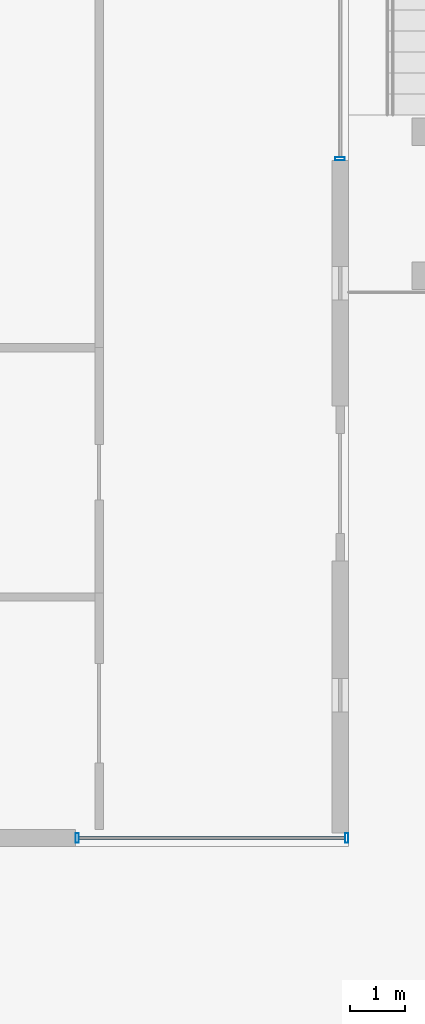
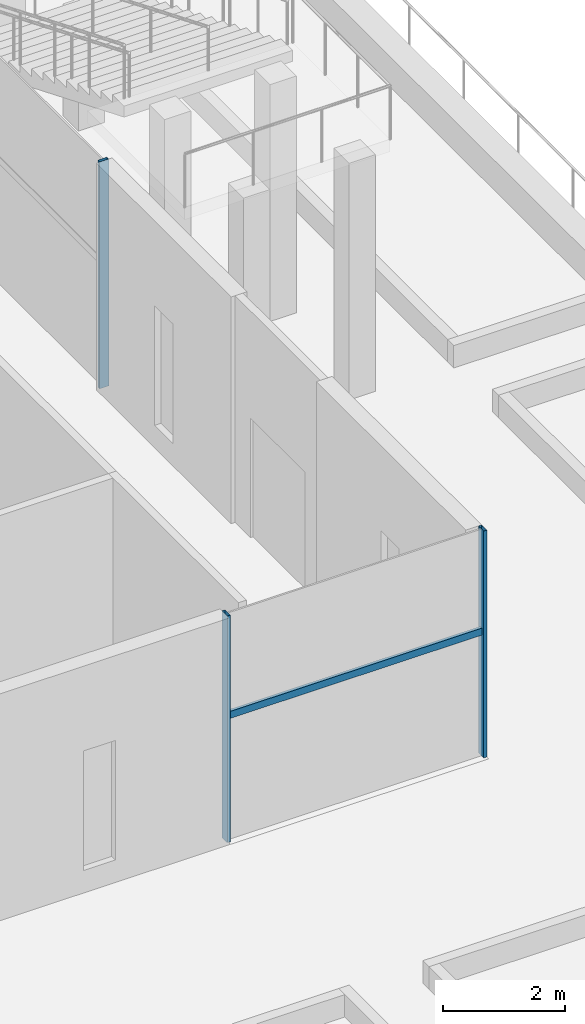
# One storey, part 13 of 49: 4 members, 2 elements without a shape of their own.
"""IFC4 building model written with IfcOpenShell, lengths in metres."""

from ifc_helpers import new_model, si_unit, direction, frame, origin, origin_2d, place, context, subcontext, project, spatial, hollow_rectangle, extrude, material, material_profile, profile_set, type_object, element, aggregate, save


model = new_model("IFC4")

# Units and contexts
model_context = context("Model", 3, precision=1e-05, world=origin(), true_north=direction((0.0, 1.0)))
body_context = subcontext(model_context, "Body", "Model", "MODEL_VIEW")
ifc_project = project(units=[si_unit("LENGTHUNIT", "METRE"), si_unit("AREAUNIT", "SQUARE_METRE"), si_unit("VOLUMEUNIT", "CUBIC_METRE"), si_unit("PLANEANGLEUNIT", "RADIAN"), si_unit("MASSUNIT", "GRAM", prefix="KILO")], contexts=[model_context])

# Site, building, storey
site_placement = place(None, origin())
site = spatial("IfcSite", under=ifc_project, at=site_placement, CompositionType="ELEMENT")
building_placement = place(site_placement, origin())
building = spatial("IfcBuilding", under=site, at=building_placement, Name="Altepetl Exchange Towers", CompositionType="ELEMENT")
storey_placement = place(building_placement, frame((0.0, 0.0, 11.5)))
storey = spatial("IfcBuildingStorey", under=building, at=storey_placement, Name="L02 Exchange podium", CompositionType="ELEMENT", Elevation=11.5)

# Curtain wall, members
ifc_material_1 = material(Name="Aluminium 6063-T6 glazing", Category="aluminium")
curtain_wall_type = type_object("IfcCurtainWallType", Name="Podium storefront system", PredefinedType="NOTDEFINED", material=ifc_material_1)
curtain_wall_1_placement = place(storey_placement, origin())
curtain_wall_1 = element("IfcCurtainWall", 1, at=curtain_wall_1_placement, inside=storey, type_object=curtain_wall_type, Name="CW5 run", PredefinedType="NOTDEFINED")
ifc_material_2 = material(Name="Aluminium 6063-T6", Category="aluminium")
ifc_material_profile_1 = material_profile(ifc_material_2, hollow_rectangle(XDim=0.06005859375, YDim=0.175048828125, WallThickness=0.0029296875, at=origin_2d()), Name="Mullion 60x175 aluminium")
ifc_profile_set_1 = profile_set([ifc_material_profile_1], Name="Aluminium 6063-T6")
member_type_1 = type_object("IfcMemberType", Name="Mullion 60x175 aluminium", PredefinedType="MULLION", material=ifc_profile_set_1)
member_1_placement = place(storey_placement, frame((130.10498046875, 18.14990234375, 0.0)))
member_1 = element("IfcMember", 2, at=member_1_placement, type_object=member_type_1, Name="MU4 mullion", PredefinedType="MULLION", context=body_context, shape_type="SweptSolid", body=[
    extrude(hollow_rectangle(XDim=0.06005859375, YDim=0.175048828125, WallThickness=0.0029296875, at=origin_2d()), origin(), (0.0, 0.0, 1.0), 4.550048828125),
])
member_2_placement = place(storey_placement, frame((134.969970703125, 18.14990234375, 0.0)))
member_2 = element("IfcMember", 3, at=member_2_placement, type_object=member_type_1, Name="MU4 mullion", PredefinedType="MULLION", context=body_context, shape_type="SweptSolid", body=[
    extrude(hollow_rectangle(XDim=0.06005859375, YDim=0.175048828125, WallThickness=0.0029296875, at=origin_2d()), origin(), (0.0, 0.0, 1.0), 4.550048828125),
])

# Curtain wall, member
curtain_wall_2_placement = place(storey_placement, origin())
curtain_wall_2 = element("IfcCurtainWall", 4, at=curtain_wall_2_placement, inside=storey, type_object=curtain_wall_type, Name="CW5 run", PredefinedType="NOTDEFINED")
member_3_placement = place(storey_placement, frame((134.85009765625, 30.409912109375, 0.0), z_axis=(0.0, 0.0, 1.0), x_axis=(0.0, 1.0, 0.0)))
member_3 = element("IfcMember", 5, at=member_3_placement, type_object=member_type_1, Name="MU4 mullion", PredefinedType="MULLION", context=body_context, shape_type="SweptSolid", body=[
    extrude(hollow_rectangle(XDim=0.06005859375, YDim=0.175048828125, WallThickness=0.0029296875, at=origin_2d()), origin(), (0.0, 0.0, 1.0), 4.550048828125),
])
aggregate(curtain_wall_2, [member_3])

# Member
ifc_material_profile_2 = material_profile(ifc_material_2, hollow_rectangle(XDim=0.06005859375, YDim=0.139892578125, WallThickness=0.0029296875, at=origin_2d()), Name="Transom 60x140 aluminium")
ifc_profile_set_2 = profile_set([ifc_material_profile_2], Name="Aluminium 6063-T6")
member_type_2 = type_object("IfcMemberType", Name="Transom 60x140 aluminium", PredefinedType="USERDEFINED", material=ifc_profile_set_2)
member_4_placement = place(storey_placement, frame((130.135009765625, 18.14990234375, 2.5), z_axis=(1.0, 0.0, 0.0), x_axis=(0.0, 1.0, 0.0)))
member_4 = element("IfcMember", 6, at=member_4_placement, type_object=member_type_2, Name="TR3 transom", ObjectType="TRANSOM", PredefinedType="USERDEFINED", context=body_context, shape_type="SweptSolid", body=[
    extrude(hollow_rectangle(XDim=0.06005859375, YDim=0.139892578125, WallThickness=0.0029296875, at=origin_2d()), origin(), (0.0, 0.0, 1.0), 4.804931640625),
])

aggregate(curtain_wall_1, [member_1, member_2, member_4])

save(model, "model.ifc")
